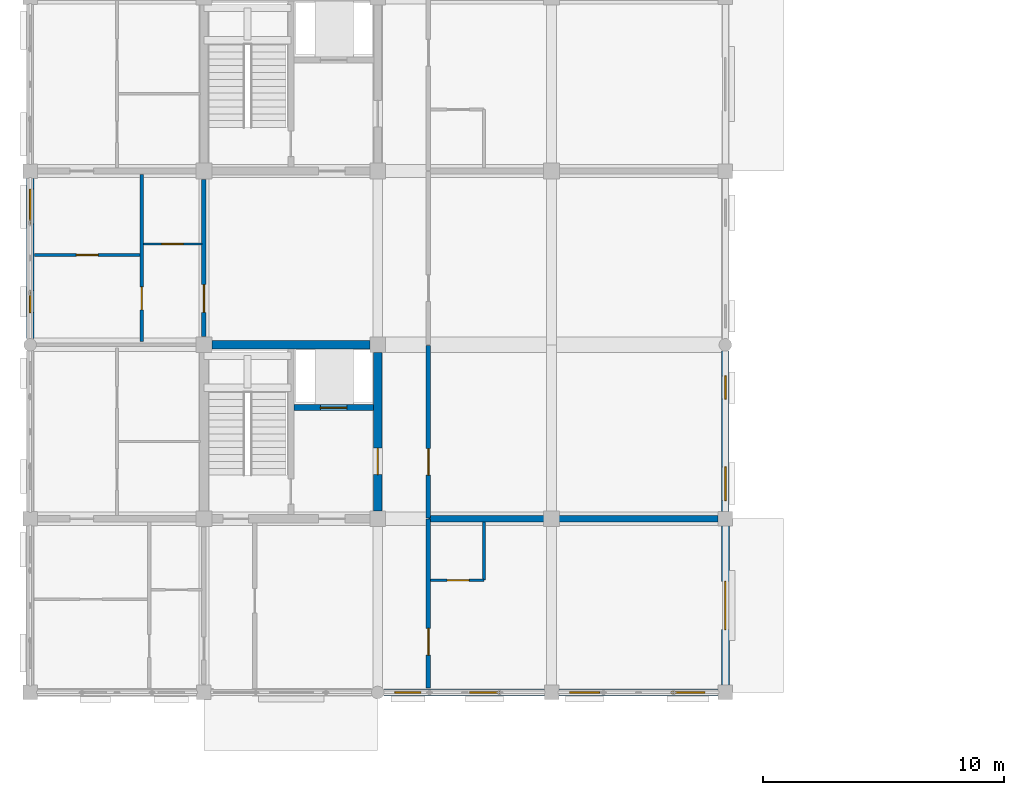
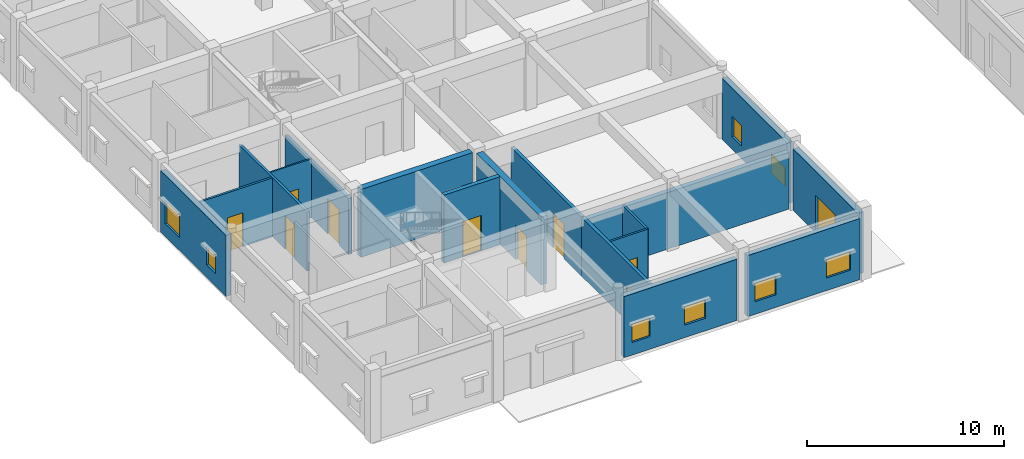
# One storey, part 95 of 138: 17 walls, 10 doors, 8 windows, 18 openings.
"""IFC4 building model written with IfcOpenShell, lengths in metres."""

from ifc_helpers import new_model, si_unit, direction, frame, frame_2d, origin, place, context, subcontext, project, spatial, rectangle, extrude, material, layer, layer_set, type_object, element, fill, save


model = new_model("IFC4")

# Units and contexts
model_context = context("Model", 3, precision=1e-05, world=origin(), true_north=direction((0.0, 1.0)))
body_context = subcontext(model_context, "Body", "Model", "MODEL_VIEW")
ifc_project = project(units=[si_unit("LENGTHUNIT", "METRE"), si_unit("AREAUNIT", "SQUARE_METRE"), si_unit("VOLUMEUNIT", "CUBIC_METRE"), si_unit("PLANEANGLEUNIT", "RADIAN"), si_unit("MASSUNIT", "GRAM", prefix="KILO"), si_unit("THERMODYNAMICTEMPERATUREUNIT", "KELVIN"), si_unit("POWERUNIT", "WATT")], contexts=[model_context])

# Site, building, storey
site_placement = place(None, origin())
site = spatial("IfcSite", under=ifc_project, at=site_placement, CompositionType="ELEMENT")
building_placement = place(site_placement, origin())
building = spatial("IfcBuilding", under=site, at=building_placement, Name="Tavuni Mirador Residences", CompositionType="ELEMENT")
storey_placement = place(building_placement, origin())
storey = spatial("IfcBuildingStorey", under=building, at=storey_placement, Name="L00", CompositionType="ELEMENT", Elevation=0.0)

# Wall, opening, door
ifc_material_1 = material(Name="Precast concrete C40/50", Category="concrete")
ifc_layer_1 = layer(ifc_material_1, 0.25, Name="Precast concrete C40/50", Category="concrete")
ifc_layer_set_1 = layer_set([ifc_layer_1], Name="Precast concrete C40/50")
wall_type_1 = type_object("IfcWallType", Name="WT-COR250", PredefinedType="SHEAR", material=ifc_layer_set_1)
wall_1_placement = place(storey_placement, frame((14.52490234375, 19.0, 0.0), z_axis=(0.0, 0.0, 1.0), x_axis=(1.0, 0.0, 0.0)))
wall_1 = element("IfcWall", 1, at=wall_1_placement, inside=storey, type_object=wall_type_1, Name="CWALL-C1-L00-SHF", PredefinedType="SHEAR", context=body_context, shape_type="SweptSolid", body=[
    extrude(rectangle(XDim=3.295166015625, YDim=0.25, at=frame_2d((1.6474609375, 0.0))), origin(), (0.0, 0.0, 1.0), 4.219970703125),
])
opening_1_placement = place(wall_1_placement, frame((1.10009765625, 0.0, 0.0)))
opening_1 = element("IfcOpeningElement", 2, at=opening_1_placement, cuts=wall_1, Name="Opening LD-01", PredefinedType="OPENING", context=body_context, shape_type="SweptSolid", body=[
    extrude(rectangle(XDim=1.10009765625, YDim=2.199951171875, at=frame_2d((0.550048828125, 1.10009765625))), frame((0.0, 0.135009765625, 0.0), z_axis=(0.0, -1.0, 0.0), x_axis=(1.0, 0.0, 0.0)), (0.0, 0.0, 1.0), 0.27001953125),
])
ifc_material_2 = material(Name="Structural steel S355", Category="steel")
door_type_1 = type_object("IfcDoorType", Name="DT-LD-FF", OperationType="SLIDING_TO_LEFT", PredefinedType="DOOR", material=ifc_material_2)
door_1_placement = place(opening_1_placement, origin())
door_1 = element("IfcDoor", 3, at=door_1_placement, inside=storey, type_object=door_type_1, Name="Lift landing door FL-A1 L00", OperationType="SLIDING_TO_LEFT", OverallHeight=2.199951171875, OverallWidth=1.10009765625, PredefinedType="DOOR", context=body_context, shape_type="SweptSolid", body=[
    extrude(rectangle(XDim=1.10009765625, YDim=2.199951171875, at=frame_2d((0.550048828125, 1.10009765625))), frame((0.0, 0.02490234375, 0.0), z_axis=(0.0, -1.0, 0.0), x_axis=(1.0, 0.0, 0.0)), (0.0, 0.0, 1.0), 0.050048828125),
])
fill(opening_1, door_1)

# Wall
ifc_layer_2 = layer(ifc_material_1, 0.360107421875, Name="Precast concrete C40/50", Category="concrete")
ifc_layer_set_2 = layer_set([ifc_layer_2], Name="Precast concrete C40/50")
wall_type_2 = type_object("IfcWallType", Name="WT-COR360", PredefinedType="SHEAR", material=ifc_layer_set_2)
wall_2_placement = place(storey_placement, frame((11.125, 21.60009765625, 0.0), z_axis=(0.0, 0.0, 1.0), x_axis=(1.0, 0.0, 0.0)))
element("IfcWall", 4, at=wall_2_placement, inside=storey, type_object=wall_type_2, Name="CWALL-C1-L00-N", PredefinedType="SHEAR", context=body_context, shape_type="SweptSolid", body=[
    extrude(rectangle(XDim=6.550048828125, YDim=0.360107421875, at=frame_2d((3.27490234375, 0.0))), origin(), (0.0, 0.0, 1.0), 4.219970703125),
])

# Wall, opening, door
wall_3_placement = place(storey_placement, frame((18.0, 14.72509765625, 0.0), z_axis=(0.0, 0.0, 1.0), x_axis=(0.0, 1.0, 0.0)))
wall_3 = element("IfcWall", 5, at=wall_3_placement, inside=storey, type_object=wall_type_2, Name="CWALL-C1-L00-E", PredefinedType="SHEAR", context=body_context, shape_type="SweptSolid", body=[
    extrude(rectangle(XDim=6.5498046875, YDim=0.360107421875, at=frame_2d((3.27490234375, 0.0))), origin(), (0.0, 0.0, 1.0), 4.219970703125),
])
opening_2_placement = place(wall_3_placement, frame((1.5, 0.0, 0.0)))
opening_2 = element("IfcOpeningElement", 6, at=opening_2_placement, cuts=wall_3, Name="Opening D-02", PredefinedType="OPENING", context=body_context, shape_type="SweptSolid", body=[
    extrude(rectangle(XDim=1.10009765625, YDim=2.14990234375, at=frame_2d((0.550048828125, 1.074951171875))), frame((0.0, 0.18994140625, 0.0), z_axis=(0.0, -1.0, 0.0), x_axis=(1.0, 0.0, 0.0)), (0.0, 0.0, 1.0), 0.380126953125),
])
ifc_material_3 = material(Name="Solid core iroko timber", Category="wood")
door_type_2 = type_object("IfcDoorType", Name="DT-LOB1100", OperationType="NOTDEFINED", PredefinedType="DOOR", material=ifc_material_3)
door_2_placement = place(opening_2_placement, frame((1.10009765625, 0.0, 0.0), z_axis=(0.0, 0.0, 1.0), x_axis=(-1.0, 0.0, 0.0)))
door_2 = element("IfcDoor", 7, at=door_2_placement, inside=storey, type_object=door_type_2, Name="DR-2005", OperationType="SINGLE_SWING_RIGHT", OverallHeight=2.14990234375, OverallWidth=1.10009765625, PredefinedType="DOOR", context=body_context, shape_type="SweptSolid", body=[
    extrude(rectangle(XDim=1.10009765625, YDim=2.14990234375, at=frame_2d((0.550048828125, 1.074951171875))), frame((0.0, 0.02490234375, 0.0), z_axis=(0.0, -1.0, 0.0), x_axis=(1.0, 0.0, 0.0)), (0.0, 0.0, 1.0), 0.050048828125),
])
fill(opening_2, door_2)

ifc_layer_3 = layer(ifc_material_1, 0.18505859375, Name="Precast concrete C40/50", Category="concrete")
ifc_layer_set_3 = layer_set([ifc_layer_3], Name="Precast concrete C40/50")
wall_type_3 = type_object("IfcWallType", Name="WT-CORR185", PredefinedType="PARTITIONING", material=ifc_layer_set_3)
wall_4_placement = place(storey_placement, frame((20.10009765625, 7.375, 0.0), z_axis=(0.0, 0.0, 1.0), x_axis=(0.0, 1.0, 0.0)))
wall_4 = element("IfcWall", 8, at=wall_4_placement, inside=storey, type_object=wall_type_3, Name="CORW-BLK-A-L00-0-00", PredefinedType="PARTITIONING", context=body_context, shape_type="SweptSolid", body=[
    extrude(rectangle(XDim=7.0048828125, YDim=0.18505859375, at=frame_2d((3.50244140625, 0.0))), origin(), (0.0, 0.0, 1.0), 3.655029296875),
])
opening_3_placement = place(wall_4_placement, frame((1.375, 0.0, 0.0)))
opening_3 = element("IfcOpeningElement", 9, at=opening_3_placement, cuts=wall_4, Name="Opening D-02", PredefinedType="OPENING", context=body_context, shape_type="SweptSolid", body=[
    extrude(rectangle(XDim=1.10009765625, YDim=2.14990234375, at=frame_2d((0.550048828125, 1.074951171875))), frame((0.0, 0.1025390625, 0.0), z_axis=(0.0, -1.0, 0.0), x_axis=(1.0, 0.0, 0.0)), (0.0, 0.0, 1.0), 0.205078125),
])
door_3_placement = place(opening_3_placement, origin())
door_3 = element("IfcDoor", 10, at=door_3_placement, inside=storey, type_object=door_type_2, Name="DR-2383", OperationType="SINGLE_SWING_RIGHT", OverallHeight=2.14990234375, OverallWidth=1.10009765625, PredefinedType="DOOR", context=body_context, shape_type="SweptSolid", body=[
    extrude(rectangle(XDim=1.10009765625, YDim=2.14990234375, at=frame_2d((0.550048828125, 1.074951171875))), frame((0.0, 0.02490234375, 0.0), z_axis=(0.0, -1.0, 0.0), x_axis=(1.0, 0.0, 0.0)), (0.0, 0.0, 1.0), 0.050048828125),
])
fill(opening_3, door_3)

wall_5_placement = place(storey_placement, frame((20.10009765625, 14.419921875, 0.0), z_axis=(0.0, 0.0, 1.0), x_axis=(0.0, 1.0, 0.0)))
wall_5 = element("IfcWall", 11, at=wall_5_placement, inside=storey, type_object=wall_type_3, Name="CORW-BLK-A-L00-0-01", PredefinedType="PARTITIONING", context=body_context, shape_type="SweptSolid", body=[
    extrude(rectangle(XDim=7.16015625, YDim=0.18505859375, at=frame_2d((3.580078125, 0.0))), origin(), (0.0, 0.0, 1.0), 3.655029296875),
])
opening_4_placement = place(wall_5_placement, frame((1.780029296875, 0.0, 0.0)))
opening_4 = element("IfcOpeningElement", 12, at=opening_4_placement, cuts=wall_5, Name="Opening D-02", PredefinedType="OPENING", context=body_context, shape_type="SweptSolid", body=[
    extrude(rectangle(XDim=1.10009765625, YDim=2.14990234375, at=frame_2d((0.550048828125, 1.074951171875))), frame((0.0, 0.1025390625, 0.0), z_axis=(0.0, -1.0, 0.0), x_axis=(1.0, 0.0, 0.0)), (0.0, 0.0, 1.0), 0.205078125),
])
door_4_placement = place(opening_4_placement, origin())
door_4 = element("IfcDoor", 13, at=door_4_placement, inside=storey, type_object=door_type_2, Name="DR-2384", OperationType="SINGLE_SWING_LEFT", OverallHeight=2.14990234375, OverallWidth=1.10009765625, PredefinedType="DOOR", context=body_context, shape_type="SweptSolid", body=[
    extrude(rectangle(XDim=1.10009765625, YDim=2.14990234375, at=frame_2d((0.550048828125, 1.074951171875))), frame((0.0, 0.02490234375, 0.0), z_axis=(0.0, -1.0, 0.0), x_axis=(1.0, 0.0, 0.0)), (0.0, 0.0, 1.0), 0.050048828125),
])
fill(opening_4, door_4)

wall_6_placement = place(storey_placement, frame((10.800048828125, 21.949951171875, 0.0), z_axis=(0.0, 0.0, 1.0), x_axis=(0.0, 1.0, 0.0)))
wall_6 = element("IfcWall", 14, at=wall_6_placement, inside=storey, type_object=wall_type_3, Name="CORW-BLK-A-L00-1-02", PredefinedType="PARTITIONING", context=body_context, shape_type="SweptSolid", body=[
    extrude(rectangle(XDim=6.5, YDim=0.18505859375, at=frame_2d((3.25, 0.0))), origin(), (0.0, 0.0, 1.0), 3.469970703125),
])
opening_5_placement = place(wall_6_placement, frame((1.0, 0.0, 0.0)))
opening_5 = element("IfcOpeningElement", 15, at=opening_5_placement, cuts=wall_6, Name="Opening D-20", PredefinedType="OPENING", context=body_context, shape_type="SweptSolid", body=[
    extrude(rectangle(XDim=1.139892578125, YDim=2.179931640625, at=frame_2d((0.56982421875, 1.08984375))), frame((0.0, 0.1025390625, 0.0), z_axis=(0.0, -1.0, 0.0), x_axis=(1.0, 0.0, 0.0)), (0.0, 0.0, 1.0), 0.205078125),
])
door_type_3 = type_object("IfcDoorType", Name="DT-FD60-1140", OperationType="NOTDEFINED", PredefinedType="DOOR", material=ifc_material_3)
door_5_placement = place(opening_5_placement, origin())
door_5 = element("IfcDoor", 16, at=door_5_placement, inside=storey, type_object=door_type_3, Name="DR-2390", OperationType="SINGLE_SWING_LEFT", OverallHeight=2.179931640625, OverallWidth=1.139892578125, PredefinedType="DOOR", context=body_context, shape_type="SweptSolid", body=[
    extrude(rectangle(XDim=1.139892578125, YDim=2.179931640625, at=frame_2d((0.56982421875, 1.08984375))), frame((0.0, 0.02490234375, 0.0), z_axis=(0.0, -1.0, 0.0), x_axis=(1.0, 0.0, 0.0)), (0.0, 0.0, 1.0), 0.050048828125),
])
fill(opening_5, door_5)

ifc_layer_4 = layer(ifc_material_1, 0.330078125, Name="Precast concrete C40/50", Category="concrete")
ifc_layer_set_4 = layer_set([ifc_layer_4], Name="Precast concrete C40/50")
wall_type_4 = type_object("IfcWallType", Name="WT-EXT-COR330", PredefinedType="SOLIDWALL", material=ifc_layer_set_4)
wall_7_placement = place(storey_placement, frame((32.39990234375, 7.5, 0.0), z_axis=(0.0, 0.0, 1.0), x_axis=(0.0, 1.0, 0.0)))
wall_7 = element("IfcWall", 17, at=wall_7_placement, inside=storey, type_object=wall_type_4, Name="EW-BLK-A-L00-E00", PredefinedType="SOLIDWALL", context=body_context, shape_type="SweptSolid", body=[
    extrude(rectangle(XDim=6.60009765625, YDim=0.330078125, at=frame_2d((3.300048828125, 0.0))), origin(), (0.0, 0.0, 1.0), 3.7900390625),
])
opening_6_placement = place(wall_7_placement, frame((2.300048828125, 0.0, 0.0)))
opening_6 = element("IfcOpeningElement", 18, at=opening_6_placement, cuts=wall_7, Name="Opening EX-03", PredefinedType="OPENING", context=body_context, shape_type="SweptSolid", body=[
    extrude(rectangle(XDim=2.0, YDim=2.300048828125, at=frame_2d((1.0, 1.14990234375))), frame((0.0, 0.175048828125, 0.0), z_axis=(0.0, -1.0, 0.0), x_axis=(1.0, 0.0, 0.0)), (0.0, 0.0, 1.0), 0.35009765625),
])
ifc_material_4 = material(Name="Anodised aluminium", Category="aluminium")
door_type_4 = type_object("IfcDoorType", Name="DT-EX2000", OperationType="DOUBLE_DOOR_SINGLE_SWING", PredefinedType="DOOR", material=ifc_material_4)
door_6_placement = place(opening_6_placement, frame((2.0, 0.0, 0.0), z_axis=(0.0, 0.0, 1.0), x_axis=(-1.0, 0.0, 0.0)))
door_6 = element("IfcDoor", 19, at=door_6_placement, inside=storey, type_object=door_type_4, Name="Final exit door EX-002", OperationType="DOUBLE_DOOR_SINGLE_SWING", OverallHeight=2.300048828125, OverallWidth=2.0, PredefinedType="DOOR", context=body_context, shape_type="SweptSolid", body=[
    extrude(rectangle(XDim=2.0, YDim=2.300048828125, at=frame_2d((1.0, 1.14990234375))), frame((0.0, 0.02490234375, 0.0), z_axis=(0.0, -1.0, 0.0), x_axis=(1.0, 0.0, 0.0)), (0.0, 0.0, 1.0), 0.050048828125),
])
fill(opening_6, door_6)

# Wall, openings, windows
ifc_material_5 = material(Name="Sgraffito lime-rendered precast concrete C40/50", Category="concrete")
ifc_layer_5 = layer(ifc_material_5, 0.2900390625, Name="Sgraffito lime-rendered precast concrete C40/50", Category="concrete")
ifc_layer_set_5 = layer_set([ifc_layer_5], Name="Sgraffito lime-rendered precast concrete C40/50")
wall_type_5 = type_object("IfcWallType", Name="WT-EXT-PC290", PredefinedType="SOLIDWALL", material=ifc_layer_set_5)
wall_8_placement = place(storey_placement, frame((25.5, 7.199951171875, 0.0), z_axis=(0.0, 0.0, 1.0), x_axis=(1.0, 0.0, 0.0)))
wall_8 = element("IfcWall", 20, at=wall_8_placement, inside=storey, type_object=wall_type_5, Name="EW-BLK-A-L00-S03", PredefinedType="SOLIDWALL", context=body_context, shape_type="SweptSolid", body=[
    extrude(rectangle(XDim=6.60009765625, YDim=0.2900390625, at=frame_2d((3.300048828125, 0.0))), origin(), (0.0, 0.0, 1.0), 3.7900390625),
])
opening_7_placement = place(wall_8_placement, frame((0.449951171875, 0.0, 0.780029296875)))
opening_7 = element("IfcOpeningElement", 21, at=opening_7_placement, cuts=wall_8, Name="Opening WN-06", PredefinedType="OPENING", context=body_context, shape_type="SweptSolid", body=[
    extrude(rectangle(XDim=1.239990234375, YDim=1.14990234375, at=frame_2d((0.6201171875, 0.574951171875))), frame((0.0, 0.155029296875, 0.0), z_axis=(0.0, -1.0, 0.0), x_axis=(1.0, 0.0, 0.0)), (0.0, 0.0, 1.0), 0.31005859375),
])
opening_8_placement = place(wall_8_placement, frame((4.64990234375, 0.0, 0.780029296875)))
opening_8 = element("IfcOpeningElement", 22, at=opening_8_placement, cuts=wall_8, Name="Opening WN-08", PredefinedType="OPENING", context=body_context, shape_type="SweptSolid", body=[
    extrude(rectangle(XDim=1.39990234375, YDim=1.14990234375, at=frame_2d((0.699951171875, 0.574951171875))), frame((0.0, 0.155029296875, 0.0), z_axis=(0.0, -1.0, 0.0), x_axis=(1.0, 0.0, 0.0)), (0.0, 0.0, 1.0), 0.31005859375),
])
ifc_material_6 = material(Name="Laminated solar-control glass", Category="glass")
window_type_1 = type_object("IfcWindowType", Name="WNT-06", PartitioningType="SINGLE_PANEL", PredefinedType="WINDOW", material=ifc_material_6)
window_1_placement = place(opening_7_placement, origin())
window_1 = element("IfcWindow", 23, at=window_1_placement, inside=storey, type_object=window_type_1, Name="WIN-0005", OverallHeight=1.14990234375, OverallWidth=1.239990234375, PartitioningType="SINGLE_PANEL", PredefinedType="WINDOW", context=body_context, shape_type="SweptSolid", body=[
    extrude(rectangle(XDim=1.239990234375, YDim=1.14990234375, at=frame_2d((0.6201171875, 0.574951171875))), frame((0.0, 0.030029296875, 0.0), z_axis=(0.0, -1.0, 0.0), x_axis=(1.0, 0.0, 0.0)), (0.0, 0.0, 1.0), 0.06005859375),
])
fill(opening_7, window_1)
window_type_2 = type_object("IfcWindowType", Name="WNT-08", PartitioningType="SINGLE_PANEL", PredefinedType="WINDOW", material=ifc_material_6)
window_2_placement = place(opening_8_placement, origin())
window_2 = element("IfcWindow", 24, at=window_2_placement, inside=storey, type_object=window_type_2, Name="WIN-0006", OverallHeight=1.14990234375, OverallWidth=1.39990234375, PartitioningType="SINGLE_PANEL", PredefinedType="WINDOW", context=body_context, shape_type="SweptSolid", body=[
    extrude(rectangle(XDim=1.39990234375, YDim=1.14990234375, at=frame_2d((0.699951171875, 0.574951171875))), frame((0.0, 0.030029296875, 0.0), z_axis=(0.0, -1.0, 0.0), x_axis=(1.0, 0.0, 0.0)), (0.0, 0.0, 1.0), 0.06005859375),
])
fill(opening_8, window_2)

ifc_layer_6 = layer(ifc_material_5, 0.304931640625, Name="Sgraffito lime-rendered precast concrete C40/50", Category="concrete")
ifc_layer_set_6 = layer_set([ifc_layer_6], Name="Sgraffito lime-rendered precast concrete C40/50")
wall_type_6 = type_object("IfcWallType", Name="WT-EXT-PC305", PredefinedType="SOLIDWALL", material=ifc_layer_set_6)
wall_9_placement = place(storey_placement, frame((18.260009765625, 7.199951171875, 0.0), z_axis=(0.0, 0.0, 1.0), x_axis=(1.0, 0.0, 0.0)))
wall_9 = element("IfcWall", 25, at=wall_9_placement, inside=storey, type_object=wall_type_6, Name="EW-BLK-A-L00-S02", PredefinedType="SOLIDWALL", context=body_context, shape_type="SweptSolid", body=[
    extrude(rectangle(XDim=6.639892578125, YDim=0.304931640625, at=frame_2d((3.31982421875, 0.0))), origin(), (0.0, 0.0, 1.0), 3.7900390625),
])
opening_9_placement = place(wall_9_placement, frame((0.449951171875, 0.0, 0.780029296875)))
opening_9 = element("IfcOpeningElement", 26, at=opening_9_placement, cuts=wall_9, Name="Opening WN-04", PredefinedType="OPENING", context=body_context, shape_type="SweptSolid", body=[
    extrude(rectangle(XDim=1.080078125, YDim=1.14990234375, at=frame_2d((0.5400390625, 0.574951171875))), frame((0.0, 0.16259765625, 0.0), z_axis=(0.0, -1.0, 0.0), x_axis=(1.0, 0.0, 0.0)), (0.0, 0.0, 1.0), 0.324951171875),
])
opening_10_placement = place(wall_9_placement, frame((3.550048828125, 0.0, 0.780029296875)))
opening_10 = element("IfcOpeningElement", 27, at=opening_10_placement, cuts=wall_9, Name="Opening WN-06", PredefinedType="OPENING", context=body_context, shape_type="SweptSolid", body=[
    extrude(rectangle(XDim=1.239990234375, YDim=1.14990234375, at=frame_2d((0.6201171875, 0.574951171875))), frame((0.0, 0.16259765625, 0.0), z_axis=(0.0, -1.0, 0.0), x_axis=(1.0, 0.0, 0.0)), (0.0, 0.0, 1.0), 0.324951171875),
])
window_type_3 = type_object("IfcWindowType", Name="WNT-04", PartitioningType="SINGLE_PANEL", PredefinedType="WINDOW", material=ifc_material_6)
window_3_placement = place(opening_9_placement, origin())
window_3 = element("IfcWindow", 28, at=window_3_placement, inside=storey, type_object=window_type_3, Name="WIN-0003", OverallHeight=1.14990234375, OverallWidth=1.080078125, PartitioningType="SINGLE_PANEL", PredefinedType="WINDOW", context=body_context, shape_type="SweptSolid", body=[
    extrude(rectangle(XDim=1.080078125, YDim=1.14990234375, at=frame_2d((0.5400390625, 0.574951171875))), frame((0.0, 0.030029296875, 0.0), z_axis=(0.0, -1.0, 0.0), x_axis=(1.0, 0.0, 0.0)), (0.0, 0.0, 1.0), 0.06005859375),
])
fill(opening_9, window_3)
window_4_placement = place(opening_10_placement, origin())
window_4 = element("IfcWindow", 29, at=window_4_placement, inside=storey, type_object=window_type_1, Name="WIN-0004", OverallHeight=1.14990234375, OverallWidth=1.239990234375, PartitioningType="SINGLE_PANEL", PredefinedType="WINDOW", context=body_context, shape_type="SweptSolid", body=[
    extrude(rectangle(XDim=1.239990234375, YDim=1.14990234375, at=frame_2d((0.6201171875, 0.574951171875))), frame((0.0, 0.030029296875, 0.0), z_axis=(0.0, -1.0, 0.0), x_axis=(1.0, 0.0, 0.0)), (0.0, 0.0, 1.0), 0.06005859375),
])
fill(opening_10, window_4)

wall_10_placement = place(storey_placement, frame((3.60009765625, 28.5, 0.0), z_axis=(0.0, 0.0, 1.0), x_axis=(0.0, -1.0, 0.0)))
wall_10 = element("IfcWall", 30, at=wall_10_placement, inside=storey, type_object=wall_type_6, Name="EW-BLK-A-L00-W02", PredefinedType="SOLIDWALL", context=body_context, shape_type="SweptSolid", body=[
    extrude(rectangle(XDim=6.639892578125, YDim=0.304931640625, at=frame_2d((3.31982421875, 0.0))), origin(), (0.0, 0.0, 1.0), 3.7900390625),
])
opening_11_placement = place(wall_10_placement, frame((0.449951171875, 0.0, 0.780029296875)))
opening_11 = element("IfcOpeningElement", 31, at=opening_11_placement, cuts=wall_10, Name="Opening WN-30", PredefinedType="OPENING", context=body_context, shape_type="SweptSolid", body=[
    extrude(rectangle(XDim=1.449951171875, YDim=1.43994140625, at=frame_2d((0.72509765625, 0.719970703125))), frame((0.0, 0.16259765625, 0.0), z_axis=(0.0, -1.0, 0.0), x_axis=(1.0, 0.0, 0.0)), (0.0, 0.0, 1.0), 0.324951171875),
])
opening_12_placement = place(wall_10_placement, frame((4.64990234375, 0.0, 0.780029296875)))
opening_12 = element("IfcOpeningElement", 32, at=opening_12_placement, cuts=wall_10, Name="Opening WN-02", PredefinedType="OPENING", context=body_context, shape_type="SweptSolid", body=[
    extrude(rectangle(XDim=0.919921875, YDim=1.14990234375, at=frame_2d((0.4599609375, 0.574951171875))), frame((0.0, 0.16259765625, 0.0), z_axis=(0.0, -1.0, 0.0), x_axis=(1.0, 0.0, 0.0)), (0.0, 0.0, 1.0), 0.324951171875),
])
window_type_4 = type_object("IfcWindowType", Name="WNT-02", PartitioningType="SINGLE_PANEL", PredefinedType="WINDOW", material=ifc_material_6)
window_5_placement = place(opening_12_placement, origin())
window_5 = element("IfcWindow", 33, at=window_5_placement, inside=storey, type_object=window_type_4, Name="WIN-0030", OverallHeight=1.14990234375, OverallWidth=0.919921875, PartitioningType="SINGLE_PANEL", PredefinedType="WINDOW", context=body_context, shape_type="SweptSolid", body=[
    extrude(rectangle(XDim=0.919921875, YDim=1.14990234375, at=frame_2d((0.4599609375, 0.574951171875))), frame((0.0, 0.030029296875, 0.0), z_axis=(0.0, -1.0, 0.0), x_axis=(1.0, 0.0, 0.0)), (0.0, 0.0, 1.0), 0.06005859375),
])
fill(opening_12, window_5)
window_type_5 = type_object("IfcWindowType", Name="WNT-30", PartitioningType="SINGLE_PANEL", PredefinedType="WINDOW", material=ifc_material_6)
window_6_placement = place(opening_11_placement, origin())
window_6 = element("IfcWindow", 34, at=window_6_placement, inside=storey, type_object=window_type_5, Name="WIN-0029", OverallHeight=1.43994140625, OverallWidth=1.449951171875, PartitioningType="SINGLE_PANEL", PredefinedType="WINDOW", context=body_context, shape_type="SweptSolid", body=[
    extrude(rectangle(XDim=1.449951171875, YDim=1.43994140625, at=frame_2d((0.72509765625, 0.719970703125))), frame((0.0, 0.030029296875, 0.0), z_axis=(0.0, -1.0, 0.0), x_axis=(1.0, 0.0, 0.0)), (0.0, 0.0, 1.0), 0.06005859375),
])
fill(opening_11, window_6)

ifc_layer_7 = layer(ifc_material_5, 0.31494140625, Name="Sgraffito lime-rendered precast concrete C40/50", Category="concrete")
ifc_layer_set_7 = layer_set([ifc_layer_7], Name="Sgraffito lime-rendered precast concrete C40/50")
wall_type_7 = type_object("IfcWallType", Name="WT-EXT-PC315", PredefinedType="SOLIDWALL", material=ifc_layer_set_7)
wall_11_placement = place(storey_placement, frame((32.39990234375, 14.699951171875, 0.0), z_axis=(0.0, 0.0, 1.0), x_axis=(0.0, 1.0, 0.0)))
wall_11 = element("IfcWall", 35, at=wall_11_placement, inside=storey, type_object=wall_type_7, Name="EW-BLK-A-L00-E01", PredefinedType="SOLIDWALL", context=body_context, shape_type="SweptSolid", body=[
    extrude(rectangle(XDim=6.64013671875, YDim=0.31494140625, at=frame_2d((3.320068359375, 0.0))), origin(), (0.0, 0.0, 1.0), 3.7900390625),
])
opening_13_placement = place(wall_11_placement, frame((0.449951171875, 0.0, 0.780029296875)))
opening_13 = element("IfcOpeningElement", 36, at=opening_13_placement, cuts=wall_11, Name="Opening WN-08", PredefinedType="OPENING", context=body_context, shape_type="SweptSolid", body=[
    extrude(rectangle(XDim=1.39990234375, YDim=1.14990234375, at=frame_2d((0.699951171875, 0.574951171875))), frame((0.0, 0.16748046875, 0.0), z_axis=(0.0, -1.0, 0.0), x_axis=(1.0, 0.0, 0.0)), (0.0, 0.0, 1.0), 0.3349609375),
])
opening_14_placement = place(wall_11_placement, frame((4.64990234375, 0.0, 0.780029296875)))
opening_14 = element("IfcOpeningElement", 37, at=opening_14_placement, cuts=wall_11, Name="Opening WN-10", PredefinedType="OPENING", context=body_context, shape_type="SweptSolid", body=[
    extrude(rectangle(XDim=0.9599609375, YDim=1.260009765625, at=frame_2d((0.47998046875, 0.6298828125))), frame((0.0, 0.16748046875, 0.0), z_axis=(0.0, -1.0, 0.0), x_axis=(1.0, 0.0, 0.0)), (0.0, 0.0, 1.0), 0.3349609375),
])
window_7_placement = place(opening_13_placement, origin())
window_7 = element("IfcWindow", 38, at=window_7_placement, inside=storey, type_object=window_type_2, Name="WIN-0007", OverallHeight=1.14990234375, OverallWidth=1.39990234375, PartitioningType="SINGLE_PANEL", PredefinedType="WINDOW", context=body_context, shape_type="SweptSolid", body=[
    extrude(rectangle(XDim=1.39990234375, YDim=1.14990234375, at=frame_2d((0.699951171875, 0.574951171875))), frame((0.0, 0.030029296875, 0.0), z_axis=(0.0, -1.0, 0.0), x_axis=(1.0, 0.0, 0.0)), (0.0, 0.0, 1.0), 0.06005859375),
])
fill(opening_13, window_7)
window_type_6 = type_object("IfcWindowType", Name="WNT-10", PartitioningType="SINGLE_PANEL", PredefinedType="WINDOW", material=ifc_material_6)
window_8_placement = place(opening_14_placement, origin())
window_8 = element("IfcWindow", 39, at=window_8_placement, inside=storey, type_object=window_type_6, Name="WIN-0008", OverallHeight=1.260009765625, OverallWidth=0.9599609375, PartitioningType="SINGLE_PANEL", PredefinedType="WINDOW", context=body_context, shape_type="SweptSolid", body=[
    extrude(rectangle(XDim=0.9599609375, YDim=1.260009765625, at=frame_2d((0.47998046875, 0.6298828125))), frame((0.0, 0.030029296875, 0.0), z_axis=(0.0, -1.0, 0.0), x_axis=(1.0, 0.0, 0.0)), (0.0, 0.0, 1.0), 0.06005859375),
])
fill(opening_14, window_8)

# Wall, opening, door
ifc_material_7 = material(Name="Acoustic gypsum and concrete block partition", Category="concrete")
ifc_layer_8 = layer(ifc_material_7, 0.094970703125, Name="Acoustic gypsum and concrete block partition", Category="concrete")
ifc_layer_set_8 = layer_set([ifc_layer_8], Name="Acoustic gypsum and concrete block partition")
wall_type_8 = type_object("IfcWallType", Name="WT-PART095", PredefinedType="PARTITIONING", material=ifc_layer_set_8)
wall_12_placement = place(storey_placement, frame((8.2900390625, 25.780029296875, 0.0), z_axis=(0.0, 0.0, 1.0), x_axis=(1.0, 0.0, 0.0)))
wall_12 = element("IfcWall", 40, at=wall_12_placement, inside=storey, type_object=wall_type_8, Name="PW-BLK-A-L00-W02-IN1", PredefinedType="PARTITIONING", context=body_context, shape_type="SweptSolid", body=[
    extrude(rectangle(XDim=2.419921875, YDim=0.094970703125, at=frame_2d((1.2099609375, 0.0))), origin(), (0.0, 0.0, 1.0), 3.655029296875),
])
opening_15_placement = place(wall_12_placement, frame((0.760009765625, 0.0, 0.0)))
opening_15 = element("IfcOpeningElement", 41, at=opening_15_placement, cuts=wall_12, Name="Opening D-09", PredefinedType="OPENING", context=body_context, shape_type="SweptSolid", body=[
    extrude(rectangle(XDim=0.89990234375, YDim=2.050048828125, at=frame_2d((0.449951171875, 1.02490234375))), frame((0.0, 0.0576171875, 0.0), z_axis=(0.0, -1.0, 0.0), x_axis=(1.0, 0.0, 0.0)), (0.0, 0.0, 1.0), 0.114990234375),
])
door_type_5 = type_object("IfcDoorType", Name="DT-WC900", OperationType="NOTDEFINED", PredefinedType="DOOR", material=ifc_material_3)
door_7_placement = place(opening_15_placement, origin())
door_7 = element("IfcDoor", 42, at=door_7_placement, inside=storey, type_object=door_type_5, Name="DR-2938", OperationType="SINGLE_SWING_RIGHT", OverallHeight=2.050048828125, OverallWidth=0.89990234375, PredefinedType="DOOR", context=body_context, shape_type="SweptSolid", body=[
    extrude(rectangle(XDim=0.89990234375, YDim=2.050048828125, at=frame_2d((0.449951171875, 1.02490234375))), frame((0.0, 0.02490234375, 0.0), z_axis=(0.0, -1.0, 0.0), x_axis=(1.0, 0.0, 0.0)), (0.0, 0.0, 1.0), 0.050048828125),
])
fill(opening_15, door_7)

ifc_layer_9 = layer(ifc_material_7, 0.114990234375, Name="Acoustic gypsum and concrete block partition", Category="concrete")
ifc_layer_set_9 = layer_set([ifc_layer_9], Name="Acoustic gypsum and concrete block partition")
wall_type_9 = type_object("IfcWallType", Name="WT-PART115", PredefinedType="PARTITIONING", material=ifc_layer_set_9)
wall_13_placement = place(storey_placement, frame((20.18994140625, 11.85009765625, 0.0), z_axis=(0.0, 0.0, 1.0), x_axis=(1.0, 0.0, 0.0)))
wall_13 = element("IfcWall", 43, at=wall_13_placement, inside=storey, type_object=wall_type_9, Name="PW-BLK-A-L00-E00-2", PredefinedType="PARTITIONING", context=body_context, shape_type="SweptSolid", body=[
    extrude(rectangle(XDim=2.2099609375, YDim=0.114990234375, at=frame_2d((1.10498046875, 0.0))), origin(), (0.0, 0.0, 1.0), 3.655029296875),
])
opening_16_placement = place(wall_13_placement, frame((0.679931640625, 0.0, 0.0)))
opening_16 = element("IfcOpeningElement", 44, at=opening_16_placement, cuts=wall_13, Name="Opening D-06", PredefinedType="OPENING", context=body_context, shape_type="SweptSolid", body=[
    extrude(rectangle(XDim=0.919921875, YDim=2.10009765625, at=frame_2d((0.4599609375, 1.050048828125))), frame((0.0, 0.0673828125, 0.0), z_axis=(0.0, -1.0, 0.0), x_axis=(1.0, 0.0, 0.0)), (0.0, 0.0, 1.0), 0.135009765625),
])
door_type_6 = type_object("IfcDoorType", Name="DT-INT920", OperationType="NOTDEFINED", PredefinedType="DOOR", material=ifc_material_3)
door_8_placement = place(opening_16_placement, origin())
door_8 = element("IfcDoor", 45, at=door_8_placement, inside=storey, type_object=door_type_6, Name="DR-2934", OperationType="SINGLE_SWING_RIGHT", OverallHeight=2.10009765625, OverallWidth=0.919921875, PredefinedType="DOOR", context=body_context, shape_type="SweptSolid", body=[
    extrude(rectangle(XDim=0.919921875, YDim=2.10009765625, at=frame_2d((0.4599609375, 1.050048828125))), frame((0.0, 0.02490234375, 0.0), z_axis=(0.0, -1.0, 0.0), x_axis=(1.0, 0.0, 0.0)), (0.0, 0.0, 1.0), 0.050048828125),
])
fill(opening_16, door_8)

# Wall
ifc_layer_10 = layer(ifc_material_7, 0.125, Name="Acoustic gypsum and concrete block partition", Category="concrete")
ifc_layer_set_10 = layer_set([ifc_layer_10], Name="Acoustic gypsum and concrete block partition")
wall_type_10 = type_object("IfcWallType", Name="WT-PART125", PredefinedType="PARTITIONING", material=ifc_layer_set_10)
wall_14_placement = place(storey_placement, frame((22.39990234375, 11.85009765625, 0.0), z_axis=(0.0, 0.0, 1.0), x_axis=(0.0, 1.0, 0.0)))
element("IfcWall", 46, at=wall_14_placement, inside=storey, type_object=wall_type_10, Name="PW-BLK-A-L00-E00-1", PredefinedType="PARTITIONING", context=body_context, shape_type="SweptSolid", body=[
    extrude(rectangle(XDim=2.409912109375, YDim=0.125, at=frame_2d((1.205078125, 0.0))), origin(), (0.0, 0.0, 1.0), 3.655029296875),
])

# Wall, opening, door
wall_15_placement = place(storey_placement, frame((3.77490234375, 25.320068359375, 0.0), z_axis=(0.0, 0.0, 1.0), x_axis=(1.0, 0.0, 0.0)))
wall_15 = element("IfcWall", 47, at=wall_15_placement, inside=storey, type_object=wall_type_10, Name="PW-BLK-A-L00-W02-OUT", PredefinedType="PARTITIONING", context=body_context, shape_type="SweptSolid", body=[
    extrude(rectangle(XDim=4.375, YDim=0.125, at=frame_2d((2.1875, 0.0))), origin(), (0.0, 0.0, 1.0), 3.655029296875),
])
opening_17_placement = place(wall_15_placement, frame((1.737548828125, 0.0, 0.0)))
opening_17 = element("IfcOpeningElement", 48, at=opening_17_placement, cuts=wall_15, Name="Opening D-07", PredefinedType="OPENING", context=body_context, shape_type="SweptSolid", body=[
    extrude(rectangle(XDim=0.89990234375, YDim=2.10009765625, at=frame_2d((0.449951171875, 1.050048828125))), frame((0.0, 0.072509765625, 0.0), z_axis=(0.0, -1.0, 0.0), x_axis=(1.0, 0.0, 0.0)), (0.0, 0.0, 1.0), 0.14501953125),
])
door_type_7 = type_object("IfcDoorType", Name="DT-BED900", OperationType="NOTDEFINED", PredefinedType="DOOR", material=ifc_material_3)
door_9_placement = place(opening_17_placement, origin())
door_9 = element("IfcDoor", 49, at=door_9_placement, inside=storey, type_object=door_type_7, Name="DR-2937", OperationType="SINGLE_SWING_LEFT", OverallHeight=2.10009765625, OverallWidth=0.89990234375, PredefinedType="DOOR", context=body_context, shape_type="SweptSolid", body=[
    extrude(rectangle(XDim=0.89990234375, YDim=2.10009765625, at=frame_2d((0.449951171875, 1.050048828125))), frame((0.0, 0.02490234375, 0.0), z_axis=(0.0, -1.0, 0.0), x_axis=(1.0, 0.0, 0.0)), (0.0, 0.0, 1.0), 0.050048828125),
])
fill(opening_17, door_9)

ifc_layer_11 = layer(ifc_material_7, 0.14990234375, Name="Acoustic gypsum and concrete block partition", Category="concrete")
ifc_layer_set_11 = layer_set([ifc_layer_11], Name="Acoustic gypsum and concrete block partition")
wall_type_11 = type_object("IfcWallType", Name="WT-PART150", PredefinedType="PARTITIONING", material=ifc_layer_set_11)
wall_16_placement = place(storey_placement, frame((8.219970703125, 21.739990234375, 0.0), z_axis=(0.0, 0.0, 1.0), x_axis=(0.0, 1.0, 0.0)))
wall_16 = element("IfcWall", 50, at=wall_16_placement, inside=storey, type_object=wall_type_11, Name="PW-BLK-A-L00-W02-MID", PredefinedType="PARTITIONING", context=body_context, shape_type="SweptSolid", body=[
    extrude(rectangle(XDim=6.919921875, YDim=0.14990234375, at=frame_2d((3.4599609375, 0.0))), origin(), (0.0, 0.0, 1.0), 3.655029296875),
])
opening_18_placement = place(wall_16_placement, frame((1.31005859375, 0.0, 0.0)))
opening_18 = element("IfcOpeningElement", 51, at=opening_18_placement, cuts=wall_16, Name="Opening D-05", PredefinedType="OPENING", context=body_context, shape_type="SweptSolid", body=[
    extrude(rectangle(XDim=0.949951171875, YDim=2.10009765625, at=frame_2d((0.47509765625, 1.050048828125))), frame((0.0, 0.0849609375, 0.0), z_axis=(0.0, -1.0, 0.0), x_axis=(1.0, 0.0, 0.0)), (0.0, 0.0, 1.0), 0.169921875),
])
door_type_8 = type_object("IfcDoorType", Name="DT-INT950", OperationType="NOTDEFINED", PredefinedType="DOOR", material=ifc_material_3)
door_10_placement = place(opening_18_placement, origin())
door_10 = element("IfcDoor", 52, at=door_10_placement, inside=storey, type_object=door_type_8, Name="DR-2939", OperationType="SINGLE_SWING_LEFT", OverallHeight=2.10009765625, OverallWidth=0.949951171875, PredefinedType="DOOR", context=body_context, shape_type="SweptSolid", body=[
    extrude(rectangle(XDim=0.949951171875, YDim=2.10009765625, at=frame_2d((0.47509765625, 1.050048828125))), frame((0.0, 0.02490234375, 0.0), z_axis=(0.0, -1.0, 0.0), x_axis=(1.0, 0.0, 0.0)), (0.0, 0.0, 1.0), 0.050048828125),
])
fill(opening_18, door_10)

# Wall
ifc_layer_12 = layer(ifc_material_1, 0.264892578125, Name="Precast concrete C40/50", Category="concrete")
ifc_layer_set_12 = layer_set([ifc_layer_12], Name="Precast concrete C40/50")
wall_type_12 = type_object("IfcWallType", Name="WT-XW265", PredefinedType="SOLIDWALL", material=ifc_layer_set_12)
wall_17_placement = place(storey_placement, frame((20.10009765625, 14.39990234375, 0.0), z_axis=(0.0, 0.0, 1.0), x_axis=(1.0, 0.0, 0.0)))
element("IfcWall", 53, at=wall_17_placement, inside=storey, type_object=wall_type_12, Name="XW-BLK-A-L00-E-01", PredefinedType="SOLIDWALL", context=body_context, shape_type="SweptSolid", body=[
    extrude(rectangle(XDim=12.0, YDim=0.264892578125, at=frame_2d((6.0, 0.0))), origin(), (0.0, 0.0, 1.0), 3.52001953125),
])

save(model, "model.ifc")
